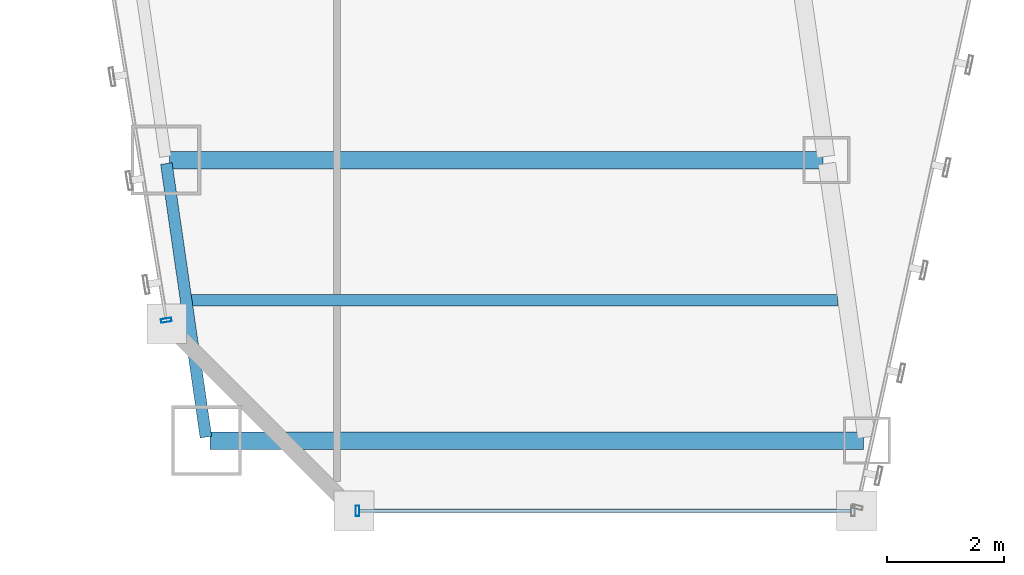
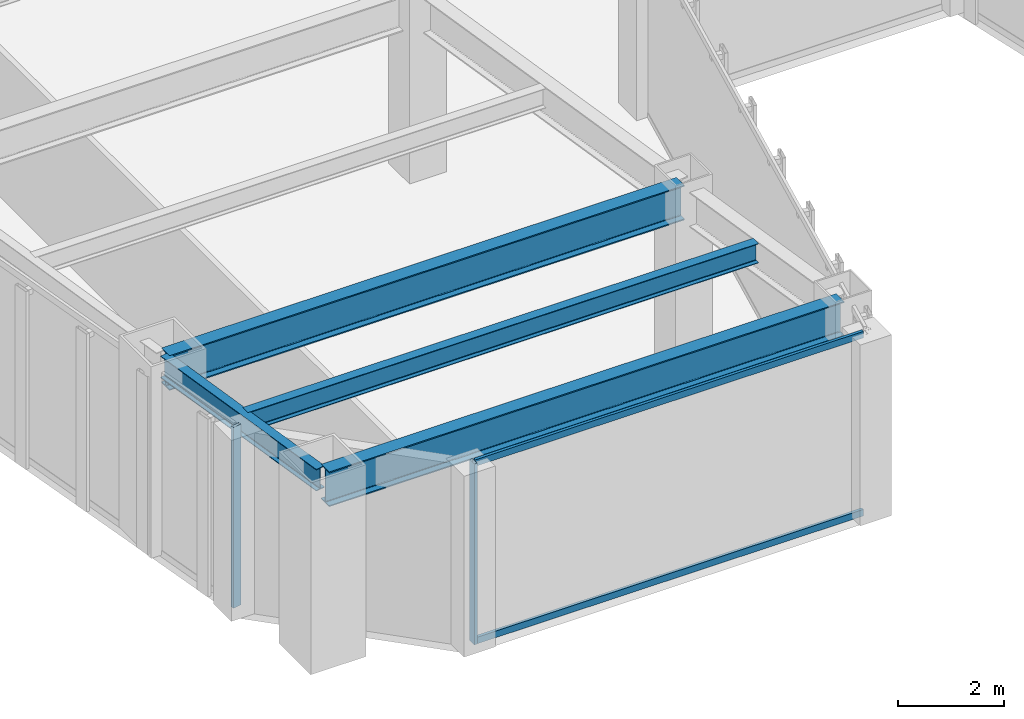
# One storey, part 4 of 47: 4 beams, 4 members, 2 elements without a shape of their own.
"""IFC4 building model written with IfcOpenShell, lengths in metres."""

from ifc_helpers import new_model, si_unit, direction, frame, origin, origin_2d, place, context, subcontext, project, spatial, hollow_rectangle, i_section, extrude, material, material_profile, profile_set, type_object, element, aggregate, save


model = new_model("IFC4")

# Units and contexts
model_context = context("Model", 3, precision=1e-05, world=origin(), true_north=direction((0.0, 1.0)))
body_context = subcontext(model_context, "Body", "Model", "MODEL_VIEW")
ifc_project = project(units=[si_unit("LENGTHUNIT", "METRE"), si_unit("AREAUNIT", "SQUARE_METRE"), si_unit("VOLUMEUNIT", "CUBIC_METRE"), si_unit("PLANEANGLEUNIT", "RADIAN"), si_unit("MASSUNIT", "GRAM", prefix="KILO")], contexts=[model_context])

# Site, building, storey
site_placement = place(None, origin())
site = spatial("IfcSite", under=ifc_project, at=site_placement, CompositionType="ELEMENT")
building_placement = place(site_placement, origin())
building = spatial("IfcBuilding", under=site, at=building_placement, Name="Saevonmaru Cultural Tower", CompositionType="ELEMENT")
storey_placement = place(building_placement, frame((0.0, 0.0, 56.0)))
storey = spatial("IfcBuildingStorey", under=building, at=storey_placement, Name="L11", CompositionType="ELEMENT", Elevation=56.0)

# Beams
ifc_material_1 = material(Name="Steel SM420", Category="steel")
ifc_material_profile_1 = material_profile(ifc_material_1, i_section(OverallWidth=0.300048828125, OverallDepth=0.800048828125, WebThickness=0.013916015625, FlangeThickness=0.02587890625, FilletRadius=0.028076171875, at=origin_2d()), Name="H-800x300x14x26")
ifc_profile_set_1 = profile_set([ifc_material_profile_1], Name="Steel SM420")
beam_type_1 = type_object("IfcBeamType", Name="BM-G-H800", PredefinedType="BEAM", material=ifc_profile_set_1)
for number, where, z_axis, x_axis, name in (
    (1, (12.537109375, 3.199951171875, 3.75), (1.0, 0.0, 0.0), (0.0, 1.0, 0.0), "L11 West Wing Transverse Girder 1"),
    (2, (11.843017578125, 8.0, 3.75), (1.0, 0.0, 0.0), (0.0, 1.0, 0.0), "L11 West Wing Transverse Girder 2"),
):
    element("IfcBeam", number, at=place(storey_placement, frame(where, z_axis=z_axis, x_axis=x_axis)), inside=storey, type_object=beam_type_1, Name=name, PredefinedType="BEAM", context=body_context, shape_type="SweptSolid", body=[
        extrude(i_section(OverallWidth=0.300048828125, OverallDepth=0.800048828125, WebThickness=0.013916015625, FlangeThickness=0.02587890625, FilletRadius=0.028076171875, at=origin_2d()), origin(), (0.0, 0.0, 1.0), 11.179931640625),
    ])
ifc_material_2 = material(Name="Steel SM355", Category="steel")
ifc_material_profile_2 = material_profile(ifc_material_2, i_section(OverallWidth=0.199951171875, OverallDepth=0.449951171875, WebThickness=0.009033203125, FlangeThickness=0.013916015625, FilletRadius=0.01806640625, at=origin_2d()), Name="H-450x200x9x14")
ifc_profile_set_2 = profile_set([ifc_material_profile_2], Name="Steel SM355")
beam_type_2 = type_object("IfcBeamType", Name="BM-J-H450", PredefinedType="JOIST", material=ifc_profile_set_2)
beam_1_placement = place(storey_placement, frame((12.18994140625, 5.60009765625, 3.925048828125), z_axis=(1.0, 0.0, 0.0), x_axis=(0.0, 1.0, 0.0)))
element("IfcBeam", 3, at=beam_1_placement, inside=storey, type_object=beam_type_2, Name="L11 West Wing Floor Joist 1", PredefinedType="JOIST", context=body_context, shape_type="SweptSolid", body=[
    extrude(i_section(OverallWidth=0.199951171875, OverallDepth=0.449951171875, WebThickness=0.009033203125, FlangeThickness=0.013916015625, FilletRadius=0.01806640625, at=origin_2d()), origin(), (0.0, 0.0, 1.0), 11.08203125),
])
ifc_material_profile_3 = material_profile(ifc_material_2, i_section(OverallWidth=0.199951171875, OverallDepth=0.5, WebThickness=0.010009765625, FlangeThickness=0.01611328125, FilletRadius=0.02001953125, at=origin_2d()), Name="H-500x200x10x16")
ifc_profile_set_3 = profile_set([ifc_material_profile_3], Name="Steel SM355")
beam_type_3 = type_object("IfcBeamType", Name="BM-SP-H500", PredefinedType="SPANDREL", material=ifc_profile_set_3)
beam_2_placement = place(storey_placement, frame((12.468505859375, 3.259521484375, 3.89990234375), z_axis=(-0.14313379491, 0.989703347855, 0.0), x_axis=(-0.989703347855, -0.14313379491, 0.0)))
element("IfcBeam", 4, at=beam_2_placement, inside=storey, type_object=beam_type_3, Name="L11 West Splayed Spandrel 1", PredefinedType="SPANDREL", context=body_context, shape_type="SweptSolid", body=[
    extrude(i_section(OverallWidth=0.199951171875, OverallDepth=0.5, WebThickness=0.010009765625, FlangeThickness=0.01611328125, FilletRadius=0.02001953125, at=origin_2d()), origin(), (0.0, 0.0, 1.0), 4.729736328125),
])

# Curtain wall, member
ifc_material_3 = material(Name="Satin Bronze Anodised Aluminium", Category="aluminium")
curtain_wall_type = type_object("IfcCurtainWallType", Name="CW-TYP-A", PredefinedType="NOTDEFINED", material=ifc_material_3)
curtain_wall_1_placement = place(storey_placement, origin())
curtain_wall_1 = element("IfcCurtainWall", 5, at=curtain_wall_1_placement, inside=storey, type_object=curtain_wall_type, Name="L11 Unitised Curtain Wall E2", PredefinedType="NOTDEFINED")
ifc_material_profile_4 = material_profile(ifc_material_3, hollow_rectangle(XDim=0.06494140625, YDim=0.179931640625, WallThickness=0.00390625, at=origin_2d()), Name="ALU-MULL-180x65x4")
ifc_profile_set_4 = profile_set([ifc_material_profile_4], Name="Satin Bronze Anodised Aluminium")
member_type_1 = type_object("IfcMemberType", Name="ML-CW-180x65", PredefinedType="MULLION", material=ifc_profile_set_4)
member_1_placement = place(storey_placement, frame((15.06005859375, 2.0, 0.0), z_axis=(0.0, 0.0, 1.0), x_axis=(1.0, 0.0, 0.0)))
member_1 = element("IfcMember", 6, at=member_1_placement, type_object=member_type_1, Name="CW-TW-L11-E2 mullion 1", PredefinedType="MULLION", context=body_context, shape_type="SweptSolid", body=[
    extrude(hollow_rectangle(XDim=0.06494140625, YDim=0.179931640625, WallThickness=0.00390625, at=origin_2d()), origin(), (0.0, 0.0, 1.0), 4.14990234375),
])

curtain_wall_2_placement = place(storey_placement, origin())
curtain_wall_2 = element("IfcCurtainWall", 7, at=curtain_wall_2_placement, inside=storey, type_object=curtain_wall_type, Name="L11 Unitised Curtain Wall E12", PredefinedType="NOTDEFINED")
member_2_placement = place(storey_placement, frame((11.790283203125, 5.25927734375, 0.0), z_axis=(0.0, 0.0, 1.0), x_axis=(0.161708868641, -0.986838508472, 0.0)))
member_2 = element("IfcMember", 8, at=member_2_placement, type_object=member_type_1, Name="CW-TW-L11-E12 mullion 5", PredefinedType="MULLION", context=body_context, shape_type="SweptSolid", body=[
    extrude(hollow_rectangle(XDim=0.06494140625, YDim=0.179931640625, WallThickness=0.00390625, at=origin_2d()), origin(), (0.0, 0.0, 1.0), 4.14990234375),
])
aggregate(curtain_wall_2, [member_2])

# Member
ifc_material_profile_5 = material_profile(ifc_material_3, hollow_rectangle(XDim=0.06494140625, YDim=0.14990234375, WallThickness=0.00390625, at=origin_2d()), Name="ALU-TRAN-150x65x4")
ifc_profile_set_5 = profile_set([ifc_material_profile_5], Name="Satin Bronze Anodised Aluminium")
member_type_2 = type_object("IfcMemberType", Name="TR-CW-150x65", PredefinedType="USERDEFINED", material=ifc_profile_set_5)
member_3_placement = place(storey_placement, frame((15.092529296875, 2.0, 0.032470703125), z_axis=(1.0, 0.0, 0.0), x_axis=(0.0, 1.0, 0.0)))
member_3 = element("IfcMember", 9, at=member_3_placement, type_object=member_type_2, Name="CW-TW-L11-E2 transom 1.1", ObjectType="TRANSOM", PredefinedType="USERDEFINED", context=body_context, shape_type="SweptSolid", body=[
    extrude(hollow_rectangle(XDim=0.06494140625, YDim=0.14990234375, WallThickness=0.00390625, at=origin_2d()), origin(), (0.0, 0.0, 1.0), 8.4150390625),
])

member_4_placement = place(storey_placement, frame((15.092529296875, 2.0, 4.117431640625), z_axis=(1.0, 0.0, 0.0), x_axis=(0.0, 1.0, 0.0)))
member_4 = element("IfcMember", 10, at=member_4_placement, type_object=member_type_2, Name="CW-TW-L11-E2 transom 1.2", ObjectType="TRANSOM", PredefinedType="USERDEFINED", context=body_context, shape_type="SweptSolid", body=[
    extrude(hollow_rectangle(XDim=0.06494140625, YDim=0.14990234375, WallThickness=0.00390625, at=origin_2d()), origin(), (0.0, 0.0, 1.0), 8.4150390625),
])

aggregate(curtain_wall_1, [member_1, member_3, member_4])

save(model, "model.ifc")
